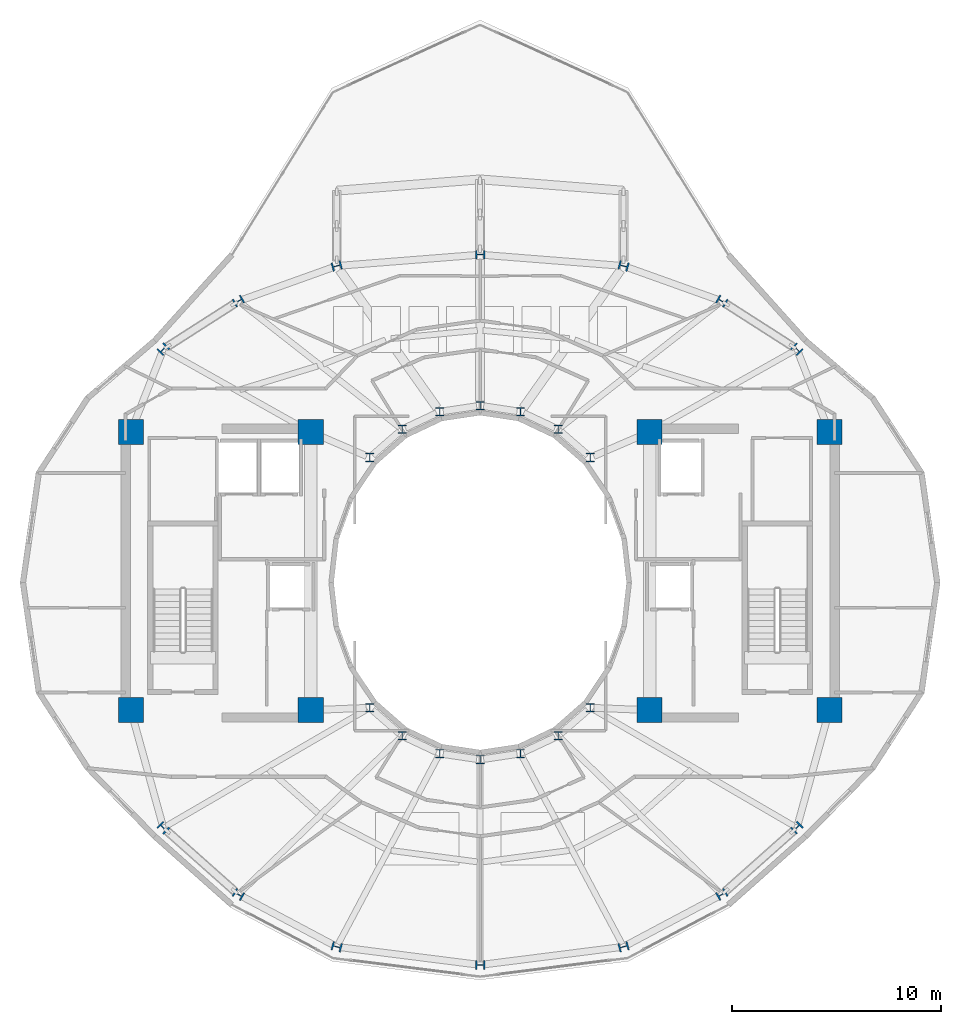
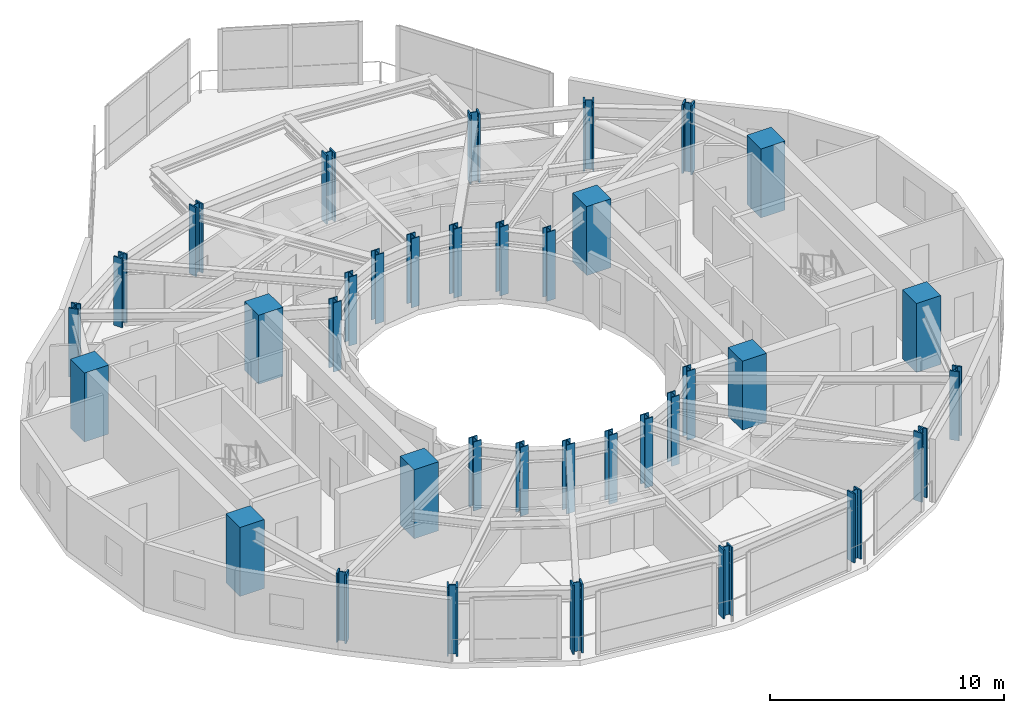
# One storey, part 1 of 19: 36 columns.
"""IFC4 building model written with IfcOpenShell, lengths in metres."""

from ifc_helpers import new_model, si_unit, direction, frame, origin, origin_2d, place, context, subcontext, project, spatial, rectangle, i_section, extrude, material, material_profile, profile_set, type_object, element, save


model = new_model("IFC4")

# Units and contexts
model_context = context("Model", 3, precision=1e-05, world=origin(), true_north=direction((0.0, 1.0)))
body_context = subcontext(model_context, "Body", "Model", "MODEL_VIEW")
ifc_project = project(units=[si_unit("LENGTHUNIT", "METRE"), si_unit("AREAUNIT", "SQUARE_METRE"), si_unit("VOLUMEUNIT", "CUBIC_METRE"), si_unit("PLANEANGLEUNIT", "RADIAN"), si_unit("MASSUNIT", "GRAM", prefix="KILO")], contexts=[model_context])

# Site, building, storey
site_placement = place(None, origin())
site = spatial("IfcSite", under=ifc_project, at=site_placement, CompositionType="ELEMENT")
building_placement = place(site_placement, origin())
building = spatial("IfcBuilding", under=site, at=building_placement, Name="Solvane Sanctuary Tower", CompositionType="ELEMENT")
storey_placement = place(building_placement, frame((0.0, 0.0, 242.39990234375)))
storey = spatial("IfcBuildingStorey", under=building, at=storey_placement, Name="L74", CompositionType="ELEMENT", Elevation=242.39990234375)

# Columns
ifc_material_1 = material(Name="Steel ASTM A913 Grade 65", Category="steel")
ifc_material_profile_1 = material_profile(ifc_material_1, i_section(OverallWidth=0.422119140625, OverallDepth=0.465087890625, WebThickness=0.044921875, FlangeThickness=0.072509765625, FilletRadius=0.02490234375, at=origin_2d()), Name="W14X398")
ifc_profile_set_1 = profile_set([ifc_material_profile_1], Name="Steel ASTM A913 Grade 65")
column_type_1 = type_object("IfcColumnType", Name="Column C-CANT W14X398", PredefinedType="COLUMN", material=ifc_profile_set_1)
for number, where, z_axis, x_axis, name in (
    (1, (47.14501953125, 34.159423828125, 0.0), (0.0, 0.0, 1.0), (0.707106781187, 0.707106781187, 0.0), "L74 Perimeter Tube Column TC01"),
    (2, (43.55517578125, 36.45703125, 0.0), (0.0, 0.0, 1.0), (0.5, 0.866025403784, 0.0), "L74 Perimeter Tube Column TC02"),
    (3, (38.856201171875, 38.13818359375, 0.0), (0.0, 0.0, 1.0), (0.258819045103, 0.965925826289, 0.0), "L74 Perimeter Tube Column TC03"),
    (4, (32.0, 38.679931640625, 0.0), (0.0, 0.0, 1.0), (0.0, 1.0, 0.0), "L74 Perimeter Tube Column TC04"),
    (5, (25.143798828125, 38.13818359375, 0.0), (0.0, 0.0, 1.0), (-0.258819045103, 0.965925826289, 0.0), "L74 Perimeter Tube Column TC05"),
    (6, (20.44482421875, 36.45703125, 0.0), (0.0, 0.0, 1.0), (-0.5, 0.866025403784, 0.0), "L74 Perimeter Tube Column TC06"),
    (7, (16.85498046875, 34.159423828125, 0.0), (0.0, 0.0, 1.0), (-0.707106781187, 0.707106781187, 0.0), "L74 Perimeter Tube Column TC07"),
    (8, (16.85498046875, 11.279052734375, 0.0), (0.0, 0.0, 1.0), (-0.707106781187, -0.707106781187, 0.0), "L74 Perimeter Tube Column TC08"),
    (9, (20.44482421875, 8.086181640625, 0.0), (0.0, 0.0, 1.0), (-0.5, -0.866025403784, 0.0), "L74 Perimeter Tube Column TC09"),
    (10, (25.143798828125, 5.588623046875, 0.0), (0.0, 0.0, 1.0), (-0.258819045103, -0.965925826289, 0.0), "L74 Perimeter Tube Column TC10"),
    (11, (32.0, 4.719970703125, 0.0), (0.0, 0.0, 1.0), (0.0, -1.0, 0.0), "L74 Perimeter Tube Column TC11"),
    (12, (38.856201171875, 5.588623046875, 0.0), (0.0, 0.0, 1.0), (0.258819045103, -0.965925826289, 0.0), "L74 Perimeter Tube Column TC12"),
    (13, (43.55517578125, 8.086181640625, 0.0), (0.0, 0.0, 1.0), (0.5, -0.866025403784, 0.0), "L74 Perimeter Tube Column TC13"),
    (14, (47.14501953125, 11.279052734375, 0.0), (0.0, 0.0, 1.0), (0.707106781187, -0.707106781187, 0.0), "L74 Perimeter Tube Column TC14"),
):
    element("IfcColumn", number, at=place(storey_placement, frame(where, z_axis=z_axis, x_axis=x_axis)), inside=storey, type_object=column_type_1, Name=name, PredefinedType="COLUMN", context=body_context, shape_type="SweptSolid", body=[
        extrude(i_section(OverallWidth=0.422119140625, OverallDepth=0.465087890625, WebThickness=0.044921875, FlangeThickness=0.072509765625, FilletRadius=0.02490234375, at=origin_2d()), origin(), (0.0, 0.0, 1.0), 3.60009765625),
    ])
ifc_material_profile_2 = material_profile(ifc_material_1, i_section(OverallWidth=0.404052734375, OverallDepth=0.406982421875, WebThickness=0.027099609375, FlangeThickness=0.043701171875, FilletRadius=0.02490234375, at=origin_2d()), Name="W14X233")
ifc_profile_set_2 = profile_set([ifc_material_profile_2], Name="Steel ASTM A913 Grade 65")
column_type_2 = type_object("IfcColumnType", Name="Column C-LOUNGE W14X233", PredefinedType="COLUMN", material=ifc_profile_set_2)
for number, where, z_axis, x_axis, name in (
    (15, (37.27490234375, 28.982177734375, 0.0), (0.0, 0.0, 1.0), (1.0, 0.0, 0.0), "L74 Inner Light-Well Ring Column IC01"),
    (16, (35.72998046875, 30.32666015625, 0.0), (0.0, 0.0, 1.0), (1.0, 0.0, 0.0), "L74 Inner Light-Well Ring Column IC02"),
    (17, (33.930908203125, 31.171630859375, 0.0), (0.0, 0.0, 1.0), (1.0, 0.0, 0.0), "L74 Inner Light-Well Ring Column IC03"),
    (18, (32.0, 31.4599609375, 0.0), (0.0, 0.0, 1.0), (1.0, 0.0, 0.0), "L74 Inner Light-Well Ring Column IC04"),
    (19, (30.069091796875, 31.171630859375, 0.0), (0.0, 0.0, 1.0), (1.0, 0.0, 0.0), "L74 Inner Light-Well Ring Column IC05"),
    (20, (28.27001953125, 30.32666015625, 0.0), (0.0, 0.0, 1.0), (1.0, 0.0, 0.0), "L74 Inner Light-Well Ring Column IC06"),
    (21, (26.72509765625, 28.982177734375, 0.0), (0.0, 0.0, 1.0), (1.0, 0.0, 0.0), "L74 Inner Light-Well Ring Column IC07"),
    (22, (26.72509765625, 17.017822265625, 0.0), (0.0, 0.0, 1.0), (1.0, 0.0, 0.0), "L74 Inner Light-Well Ring Column IC08"),
    (23, (28.27001953125, 15.67333984375, 0.0), (0.0, 0.0, 1.0), (1.0, 0.0, 0.0), "L74 Inner Light-Well Ring Column IC09"),
    (24, (30.069091796875, 14.828369140625, 0.0), (0.0, 0.0, 1.0), (1.0, 0.0, 0.0), "L74 Inner Light-Well Ring Column IC10"),
    (25, (32.0, 14.5400390625, 0.0), (0.0, 0.0, 1.0), (1.0, 0.0, 0.0), "L74 Inner Light-Well Ring Column IC11"),
    (26, (33.930908203125, 14.828369140625, 0.0), (0.0, 0.0, 1.0), (1.0, 0.0, 0.0), "L74 Inner Light-Well Ring Column IC12"),
    (27, (35.72998046875, 15.67333984375, 0.0), (0.0, 0.0, 1.0), (1.0, 0.0, 0.0), "L74 Inner Light-Well Ring Column IC13"),
    (28, (37.27490234375, 17.017822265625, 0.0), (0.0, 0.0, 1.0), (1.0, 0.0, 0.0), "L74 Inner Light-Well Ring Column IC14"),
):
    element("IfcColumn", number, at=place(storey_placement, frame(where, z_axis=z_axis, x_axis=x_axis)), inside=storey, type_object=column_type_2, Name=name, PredefinedType="COLUMN", context=body_context, shape_type="SweptSolid", body=[
        extrude(i_section(OverallWidth=0.404052734375, OverallDepth=0.406982421875, WebThickness=0.027099609375, FlangeThickness=0.043701171875, FilletRadius=0.02490234375, at=origin_2d()), origin(), (0.0, 0.0, 1.0), 3.60009765625),
    ])
ifc_material_2 = material(Name="Concrete C70/85", Category="concrete")
ifc_material_profile_3 = material_profile(ifc_material_2, rectangle(XDim=1.199951171875, YDim=1.199951171875, at=origin_2d()), Name="RC1200X1200")
ifc_profile_set_3 = profile_set([ifc_material_profile_3], Name="Concrete C70/85")
column_type_3 = type_object("IfcColumnType", Name="Column C-TUBE-Z1 RC1200X1200", PredefinedType="COLUMN", material=ifc_profile_set_3)
for number, where, z_axis, x_axis, name in (
    (29, (15.300048828125, 16.89990234375, 0.0), (0.0, 0.0, 1.0), (1.0, 0.0, 0.0), "L74 Core Corner Column CW1"),
    (30, (23.89990234375, 16.89990234375, 0.0), (0.0, 0.0, 1.0), (1.0, 0.0, 0.0), "L74 Core Corner Column CW2"),
    (31, (23.89990234375, 30.199951171875, 0.0), (0.0, 0.0, 1.0), (1.0, 0.0, 0.0), "L74 Core Corner Column CW3"),
    (32, (15.300048828125, 30.199951171875, 0.0), (0.0, 0.0, 1.0), (1.0, 0.0, 0.0), "L74 Core Corner Column CW4"),
    (33, (40.10009765625, 16.89990234375, 0.0), (0.0, 0.0, 1.0), (1.0, 0.0, 0.0), "L74 Core Corner Column CE1"),
    (34, (48.699951171875, 16.89990234375, 0.0), (0.0, 0.0, 1.0), (1.0, 0.0, 0.0), "L74 Core Corner Column CE2"),
    (35, (48.699951171875, 30.199951171875, 0.0), (0.0, 0.0, 1.0), (1.0, 0.0, 0.0), "L74 Core Corner Column CE3"),
    (36, (40.10009765625, 30.199951171875, 0.0), (0.0, 0.0, 1.0), (1.0, 0.0, 0.0), "L74 Core Corner Column CE4"),
):
    element("IfcColumn", number, at=place(storey_placement, frame(where, z_axis=z_axis, x_axis=x_axis)), inside=storey, type_object=column_type_3, Name=name, PredefinedType="COLUMN", context=body_context, shape_type="SweptSolid", body=[
        extrude(rectangle(XDim=1.199951171875, YDim=1.199951171875, at=origin_2d()), origin(), (0.0, 0.0, 1.0), 3.60009765625),
    ])

save(model, "model.ifc")
